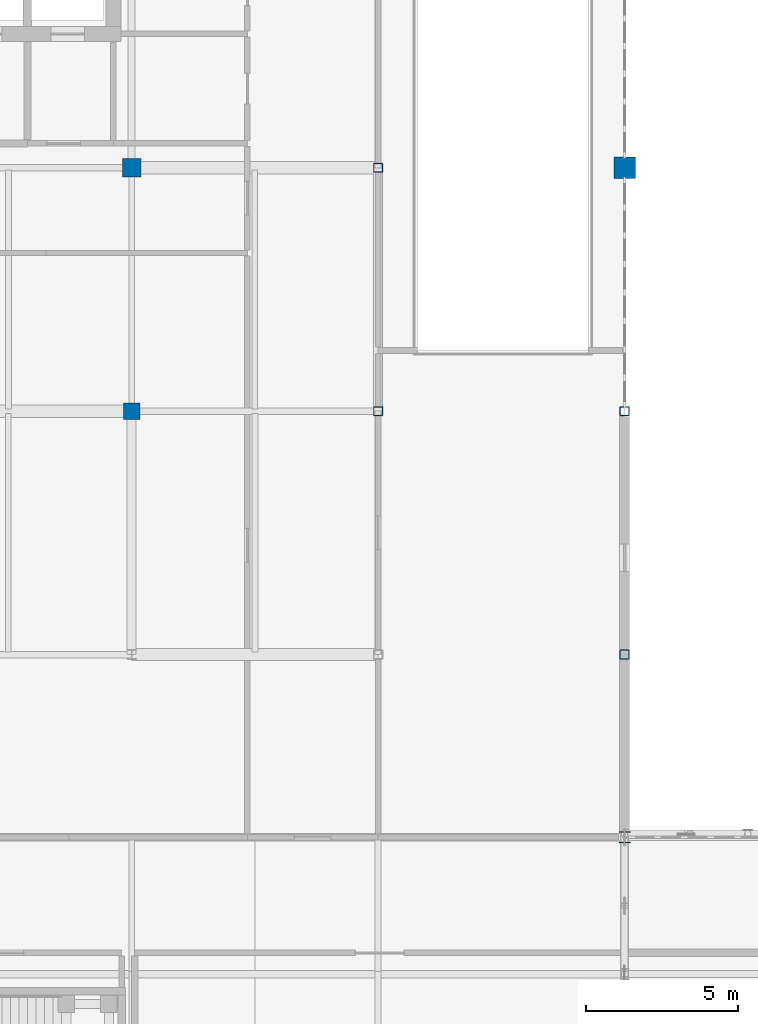
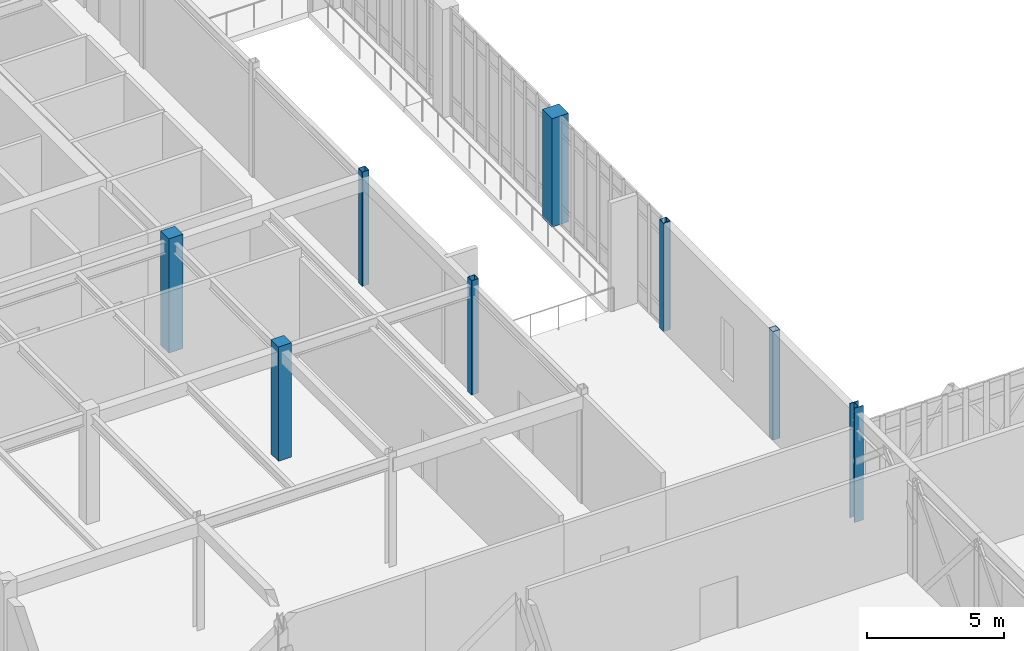
# One storey, part 4 of 107: 8 columns.
"""IFC4 building model written with IfcOpenShell, lengths in metres."""

from ifc_helpers import new_model, si_unit, direction, frame, origin, origin_2d, place, context, subcontext, project, spatial, rectangle, hollow_rectangle, i_section, extrude, material, material_profile, profile_set, type_object, element, save


model = new_model("IFC4")

# Units and contexts
model_context = context("Model", 3, precision=1e-05, world=origin(), true_north=direction((0.0, 1.0)))
body_context = subcontext(model_context, "Body", "Model", "MODEL_VIEW")
ifc_project = project(units=[si_unit("LENGTHUNIT", "METRE"), si_unit("AREAUNIT", "SQUARE_METRE"), si_unit("VOLUMEUNIT", "CUBIC_METRE"), si_unit("PLANEANGLEUNIT", "RADIAN"), si_unit("MASSUNIT", "GRAM", prefix="KILO")], contexts=[model_context])

# Site, building, storey
site_placement = place(None, origin())
site = spatial("IfcSite", under=ifc_project, at=site_placement, CompositionType="ELEMENT")
building_placement = place(site_placement, origin())
building = spatial("IfcBuilding", under=site, at=building_placement, Name="Tarnveldt Square Police Headquarters", CompositionType="ELEMENT")
storey_placement = place(building_placement, frame((0.0, 0.0, 14.699951171875)))
storey = spatial("IfcBuildingStorey", under=building, at=storey_placement, Name="L03", CompositionType="ELEMENT", Elevation=14.699951171875)

# Columns
ifc_material_1 = material(Name="Steel 350W", Category="steel")
ifc_material_profile_1 = material_profile(ifc_material_1, hollow_rectangle(XDim=0.3046875, YDim=0.3046875, WallThickness=0.015869140625, InnerFilletRadius=0.015869140625, OuterFilletRadius=0.03173828125, at=origin_2d()), Name="HSS305x305x16")
ifc_profile_set_1 = profile_set([ifc_material_profile_1], Name="Steel 350W")
column_type_1 = type_object("IfcColumnType", Name="COL-HSS305x16", PredefinedType="COLUMN", material=ifc_profile_set_1)
for number, where, z_axis, x_axis, name in (
    (1, (40.5, 48.0, 0.0), (0.0, 0.0, 1.0), (1.0, 0.0, 0.0), "L03 Column 061"),
    (2, (40.5, 56.0, 0.0), (0.0, 0.0, 1.0), (1.0, 0.0, 0.0), "L03 Column 062"),
):
    element("IfcColumn", number, at=place(storey_placement, frame(where, z_axis=z_axis, x_axis=x_axis)), inside=storey, type_object=column_type_1, Name=name, PredefinedType="COLUMN", context=body_context, shape_type="SweptSolid", body=[
        extrude(hollow_rectangle(XDim=0.3046875, YDim=0.3046875, WallThickness=0.015869140625, InnerFilletRadius=0.015869140625, OuterFilletRadius=0.03173828125, at=origin_2d()), origin(), (0.0, 0.0, 1.0), 5.10009765625),
    ])
for number, where, z_axis, x_axis, name in (
    (3, (48.60009765625, 40.0, 0.0), (0.0, 0.0, 1.0), (1.0, 0.0, 0.0), "L03 Column 072"),
    (4, (48.60009765625, 48.0, 0.0), (0.0, 0.0, 1.0), (1.0, 0.0, 0.0), "L03 Column 073"),
):
    element("IfcColumn", number, at=place(storey_placement, frame(where, z_axis=z_axis, x_axis=x_axis)), inside=storey, type_object=column_type_1, Name=name, PredefinedType="COLUMN", context=body_context, shape_type="SweptSolid", body=[
        extrude(hollow_rectangle(XDim=0.3046875, YDim=0.3046875, WallThickness=0.015869140625, InnerFilletRadius=0.015869140625, OuterFilletRadius=0.03173828125, at=origin_2d()), origin(), (0.0, 0.0, 1.0), 4.840087890625),
    ])
ifc_material_2 = material(Name="Concrete 40 MPa", Category="concrete")
ifc_material_profile_2 = material_profile(ifc_material_2, rectangle(XDim=0.550048828125, YDim=0.550048828125, at=origin_2d()), Name="RC-C550x550")
ifc_profile_set_2 = profile_set([ifc_material_profile_2], Name="Concrete 40 MPa")
column_type_2 = type_object("IfcColumnType", Name="COL-RC550", PredefinedType="COLUMN", material=ifc_profile_set_2)
column_1_placement = place(storey_placement, frame((32.39990234375, 48.0, 0.0), z_axis=(0.0, 0.0, 1.0), x_axis=(1.0, 0.0, 0.0)))
element("IfcColumn", 5, at=column_1_placement, inside=storey, type_object=column_type_2, Name="L03 Column 048", PredefinedType="COLUMN", context=body_context, shape_type="SweptSolid", body=[
    extrude(rectangle(XDim=0.550048828125, YDim=0.550048828125, at=origin_2d()), origin(), (0.0, 0.0, 1.0), 5.10009765625),
])
ifc_material_profile_3 = material_profile(ifc_material_2, rectangle(XDim=0.60009765625, YDim=0.60009765625, at=origin_2d()), Name="RC-C600x600")
ifc_profile_set_3 = profile_set([ifc_material_profile_3], Name="Concrete 40 MPa")
column_type_3 = type_object("IfcColumnType", Name="COL-RC600", PredefinedType="COLUMN", material=ifc_profile_set_3)
column_2_placement = place(storey_placement, frame((32.39990234375, 56.0, 0.0), z_axis=(0.0, 0.0, 1.0), x_axis=(1.0, 0.0, 0.0)))
element("IfcColumn", 6, at=column_2_placement, inside=storey, type_object=column_type_3, Name="L03 Column 049", PredefinedType="COLUMN", context=body_context, shape_type="SweptSolid", body=[
    extrude(rectangle(XDim=0.60009765625, YDim=0.60009765625, at=origin_2d()), origin(), (0.0, 0.0, 1.0), 5.10009765625),
])
ifc_material_3 = material(Name="Concrete 50 MPa", Category="concrete")
ifc_material_profile_4 = material_profile(ifc_material_3, rectangle(XDim=0.699951171875, YDim=0.699951171875, at=origin_2d()), Name="RC-C700x700")
ifc_profile_set_4 = profile_set([ifc_material_profile_4], Name="Concrete 50 MPa")
column_type_4 = type_object("IfcColumnType", Name="COL-RC700", PredefinedType="COLUMN", material=ifc_profile_set_4)
column_3_placement = place(storey_placement, frame((48.60009765625, 56.0, 0.0), z_axis=(0.0, 0.0, 1.0), x_axis=(1.0, 0.0, 0.0)))
element("IfcColumn", 7, at=column_3_placement, inside=storey, type_object=column_type_4, Name="L03 Column 074", PredefinedType="COLUMN", context=body_context, shape_type="SweptSolid", body=[
    extrude(rectangle(XDim=0.699951171875, YDim=0.699951171875, at=origin_2d()), origin(), (0.0, 0.0, 1.0), 4.840087890625),
])
ifc_material_profile_5 = material_profile(ifc_material_1, i_section(OverallWidth=0.3740234375, OverallDepth=0.3720703125, WebThickness=0.016357421875, FlangeThickness=0.026123046875, FilletRadius=0.01611328125, at=origin_2d()), Name="W360x196")
ifc_profile_set_5 = profile_set([ifc_material_profile_5], Name="Steel 350W")
column_type_5 = type_object("IfcColumnType", Name="COL-W360x196", PredefinedType="COLUMN", material=ifc_profile_set_5)
column_4_placement = place(storey_placement, frame((48.60009765625, 34.0, 0.0), z_axis=(0.0, 0.0, 1.0), x_axis=(1.0, 0.0, 0.0)))
element("IfcColumn", 8, at=column_4_placement, inside=storey, type_object=column_type_5, Name="L03 Column 071", PredefinedType="COLUMN", context=body_context, shape_type="SweptSolid", body=[
    extrude(i_section(OverallWidth=0.3740234375, OverallDepth=0.3720703125, WebThickness=0.016357421875, FlangeThickness=0.026123046875, FilletRadius=0.01611328125, at=origin_2d()), origin(), (0.0, 0.0, 1.0), 5.10009765625),
])

save(model, "model.ifc")
